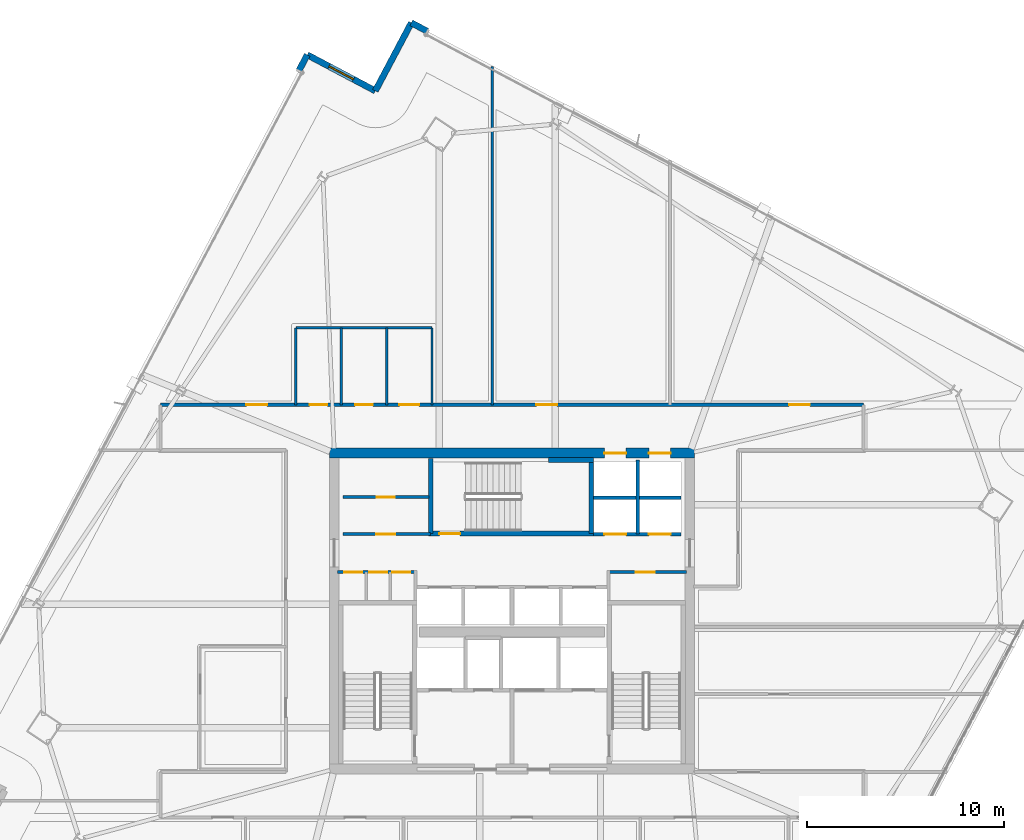
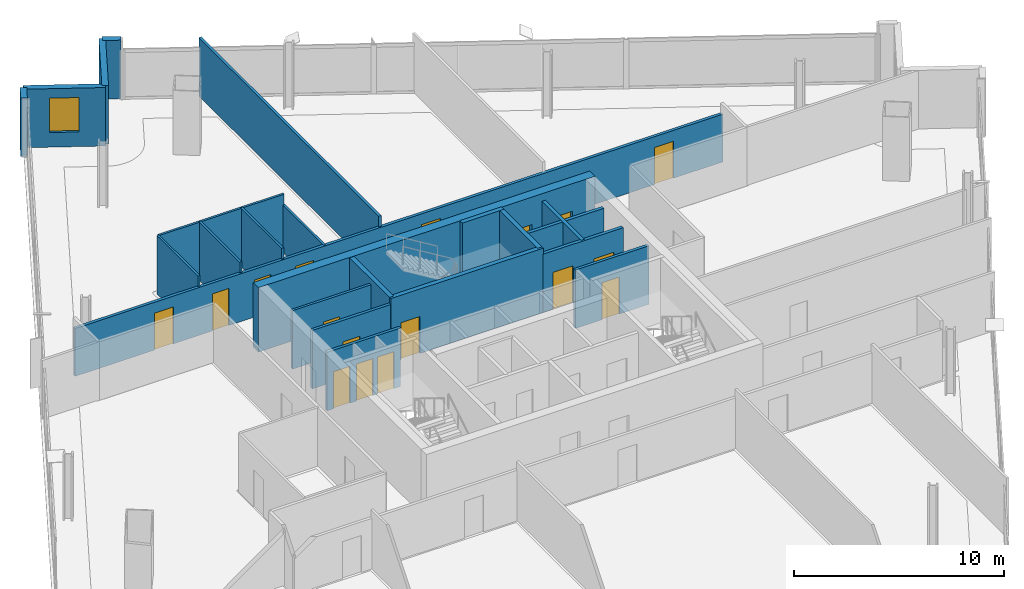
# One storey, part 22 of 28: 23 walls, 17 doors, 1 window, 18 openings.
"""IFC4 building model written with IfcOpenShell, lengths in metres."""

from ifc_helpers import new_model, si_unit, direction, frame, frame_2d, origin, place, context, subcontext, project, spatial, rectangle, extrude, material, layer, layer_set, type_object, element, fill, save


model = new_model("IFC4")

# Units and contexts
model_context = context("Model", 3, precision=1e-05, world=origin(), true_north=direction((0.0, 1.0)))
body_context = subcontext(model_context, "Body", "Model", "MODEL_VIEW")
ifc_project = project(units=[si_unit("LENGTHUNIT", "METRE"), si_unit("AREAUNIT", "SQUARE_METRE"), si_unit("VOLUMEUNIT", "CUBIC_METRE"), si_unit("PLANEANGLEUNIT", "RADIAN"), si_unit("MASSUNIT", "GRAM", prefix="KILO")], contexts=[model_context])

# Site, building, storey
site_placement = place(None, origin())
site = spatial("IfcSite", under=ifc_project, at=site_placement, CompositionType="ELEMENT")
building_placement = place(site_placement, origin())
building = spatial("IfcBuilding", under=site, at=building_placement, Name="Haldenkirk Collegiate Tower", CompositionType="ELEMENT")
storey_placement = place(building_placement, frame((0.0, 0.0, 235.949951171875)))
storey = spatial("IfcBuildingStorey", under=building, at=storey_placement, Name="L59", CompositionType="ELEMENT", Elevation=235.949951171875)

# Wall, openings, doors
ifc_material_1 = material(Name="Concrete f'c 55 MPa", Category="concrete")
ifc_layer_1 = layer(ifc_material_1, 0.5)
ifc_layer_set_1 = layer_set([ifc_layer_1], Name="Concrete f'c 55 MPa")
wall_type_1 = type_object("IfcWallType", Name="WL-CORE-500", PredefinedType="SHEAR", material=ifc_layer_set_1)
wall_1_placement = place(storey_placement, frame((26.75, 34.0, 0.0), z_axis=(0.0, 0.0, 1.0), x_axis=(1.0, 0.0, 0.0)))
wall_1 = element("IfcWall", 1, at=wall_1_placement, inside=storey, type_object=wall_type_1, Name="L59 central core shear wall N", PredefinedType="SHEAR", context=body_context, shape_type="SweptSolid", body=[
    extrude(rectangle(XDim=18.5, YDim=0.5, at=frame_2d((9.25, 0.0))), origin(), (0.0, 0.0, 1.0), 3.75),
])
opening_1_placement = place(wall_1_placement, frame((13.93505859375, 0.0, 0.0)))
opening_1 = element("IfcOpeningElement", 2, at=opening_1_placement, cuts=wall_1, Name="Opening LD-11", PredefinedType="OPENING", context=body_context, shape_type="SweptSolid", body=[
    extrude(rectangle(XDim=1.10009765625, YDim=2.14990234375, at=frame_2d((0.550048828125, 1.074951171875))), frame((0.0, 0.260009765625, 0.0), z_axis=(0.0, -1.0, 0.0), x_axis=(1.0, 0.0, 0.0)), (0.0, 0.0, 1.0), 0.52001953125),
])
opening_2_placement = place(wall_1_placement, frame((16.18505859375, 0.0, 0.0)))
opening_2 = element("IfcOpeningElement", 3, at=opening_2_placement, cuts=wall_1, Name="Opening LD-11", PredefinedType="OPENING", context=body_context, shape_type="SweptSolid", body=[
    extrude(rectangle(XDim=1.10009765625, YDim=2.14990234375, at=frame_2d((0.550048828125, 1.074951171875))), frame((0.0, 0.260009765625, 0.0), z_axis=(0.0, -1.0, 0.0), x_axis=(1.0, 0.0, 0.0)), (0.0, 0.0, 1.0), 0.52001953125),
])
ifc_material_2 = material(Name="Brushed architectural stainless steel", Category="steel")
ifc_layer_2 = layer(ifc_material_2, 0.06005859375)
ifc_layer_set_2 = layer_set([ifc_layer_2], Name="Brushed architectural stainless steel")
door_type_1 = type_object("IfcDoorType", Name="LD-PASS-1100", OperationType="NOTDEFINED", PredefinedType="DOOR", material=ifc_layer_set_2)
door_1_placement = place(opening_1_placement, origin())
door_1 = element("IfcDoor", 4, at=door_1_placement, inside=storey, type_object=door_type_1, Name="L59 Elevator PM3 sliding landing door", OperationType="SLIDING_TO_LEFT", OverallHeight=2.14990234375, OverallWidth=1.10009765625, PredefinedType="DOOR", context=body_context, shape_type="SweptSolid", body=[
    extrude(rectangle(XDim=1.10009765625, YDim=2.14990234375, at=frame_2d((0.550048828125, 1.074951171875))), frame((0.0, 0.02490234375, 0.0), z_axis=(0.0, -1.0, 0.0), x_axis=(1.0, 0.0, 0.0)), (0.0, 0.0, 1.0), 0.050048828125),
])
fill(opening_1, door_1)
door_2_placement = place(opening_2_placement, origin())
door_2 = element("IfcDoor", 5, at=door_2_placement, inside=storey, type_object=door_type_1, Name="L59 Elevator PM4 sliding landing door", OperationType="SLIDING_TO_LEFT", OverallHeight=2.14990234375, OverallWidth=1.10009765625, PredefinedType="DOOR", context=body_context, shape_type="SweptSolid", body=[
    extrude(rectangle(XDim=1.10009765625, YDim=2.14990234375, at=frame_2d((0.550048828125, 1.074951171875))), frame((0.0, 0.02490234375, 0.0), z_axis=(0.0, -1.0, 0.0), x_axis=(1.0, 0.0, 0.0)), (0.0, 0.0, 1.0), 0.050048828125),
])
fill(opening_2, door_2)

# Walls
ifc_material_3 = material(Name="Precast concrete f'c 40 MPa", Category="concrete")
ifc_layer_3 = layer(ifc_material_3, 0.320068359375)
ifc_layer_set_3 = layer_set([ifc_layer_3], Name="Precast concrete f'c 40 MPa")
wall_type_2 = type_object("IfcWallType", Name="WL-EXT-TWR-320", PredefinedType="STANDARD", material=ifc_layer_set_3)
wall_2_placement = place(storey_placement, frame((30.9013671875, 55.799560546875, 0.0), z_axis=(0.0, 0.0, 1.0), x_axis=(0.883768120839, -0.467925110021, 0.0)))
element("IfcWall", 6, at=wall_2_placement, inside=storey, type_object=wall_type_2, Name="L59 precast corner pier EL", PredefinedType="STANDARD", context=body_context, shape_type="SweptSolid", body=[
    extrude(rectangle(XDim=0.89990234375, YDim=0.320068359375, at=frame_2d((0.449951171875, 0.0))), origin(), (0.0, 0.0, 1.0), 3.400146484375),
])
wall_3_placement = place(storey_placement, frame((29.076416015625, 52.352783203125, 0.0), z_axis=(0.0, 0.0, 1.0), x_axis=(0.467925110021, 0.883768120839, 0.0)))
element("IfcWall", 7, at=wall_3_placement, inside=storey, type_object=wall_type_2, Name="L59 bronze precast notch wall 05", PredefinedType="STANDARD", context=body_context, shape_type="SweptSolid", body=[
    extrude(rectangle(XDim=3.900146484375, YDim=0.320068359375, at=frame_2d((1.9501953125, 0.0))), origin(), (0.0, 0.0, 1.0), 3.400146484375),
])

# Wall, opening, window
wall_4_placement = place(storey_placement, frame((25.6298828125, 54.177734375, 0.0), z_axis=(0.0, 0.0, 1.0), x_axis=(0.883754413477, -0.46795099814, 0.0)))
wall_4 = element("IfcWall", 8, at=wall_4_placement, inside=storey, type_object=wall_type_2, Name="L59 bronze precast notch wall 06", PredefinedType="STANDARD", context=body_context, shape_type="SweptSolid", body=[
    extrude(rectangle(XDim=3.89990234375, YDim=0.320068359375, at=frame_2d((1.949951171875, 0.0))), origin(), (0.0, 0.0, 1.0), 3.400146484375),
])
opening_3_placement = place(wall_4_placement, frame((1.25, 0.0, 0.85009765625)))
opening_3 = element("IfcOpeningElement", 9, at=opening_3_placement, cuts=wall_4, Name="Opening W-06", PredefinedType="OPENING", context=body_context, shape_type="SweptSolid", body=[
    extrude(rectangle(XDim=1.39990234375, YDim=2.0, at=frame_2d((0.699951171875, 1.0))), frame((0.0, 0.169921875, 0.0), z_axis=(0.0, -1.0, 0.0), x_axis=(1.0, 0.0, 0.0)), (0.0, 0.0, 1.0), 0.340087890625),
])
ifc_material_4 = material(Name="Low-E argon triple insulating glass", Category="glass")
ifc_layer_4 = layer(ifc_material_4, 0.090087890625)
ifc_layer_set_4 = layer_set([ifc_layer_4], Name="Low-E argon triple insulating glass")
window_type = type_object("IfcWindowType", Name="WN-Z4-1400X2000", PartitioningType="SINGLE_PANEL", PredefinedType="WINDOW", material=ifc_layer_set_4)
window_placement = place(opening_3_placement, origin())
window = element("IfcWindow", 10, at=window_placement, inside=storey, type_object=window_type, Name="L59 precast-frame academic window 5", OverallHeight=2.0, OverallWidth=1.39990234375, PartitioningType="SINGLE_PANEL", PredefinedType="WINDOW", context=body_context, shape_type="SweptSolid", body=[
    extrude(rectangle(XDim=1.39990234375, YDim=2.0, at=frame_2d((0.699951171875, 1.0))), frame((0.0, 0.030029296875, 0.0), z_axis=(0.0, -1.0, 0.0), x_axis=(1.0, 0.0, 0.0)), (0.0, 0.0, 1.0), 0.06005859375),
])
fill(opening_3, window)

# Wall
wall_5_placement = place(storey_placement, frame((25.208740234375, 53.38232421875, 0.0), z_axis=(0.0, 0.0, 1.0), x_axis=(0.467925110021, 0.883768120839, 0.0)))
element("IfcWall", 11, at=wall_5_placement, inside=storey, type_object=wall_type_2, Name="L59 precast corner pier NR", PredefinedType="STANDARD", context=body_context, shape_type="SweptSolid", body=[
    extrude(rectangle(XDim=0.89990234375, YDim=0.320068359375, at=frame_2d((0.449951171875, 0.0))), origin(), (0.0, 0.0, 1.0), 3.400146484375),
])

# Wall, openings, doors
ifc_material_5 = material(Name="Acoustic fire-rated gypsum partition", Category="concrete")
ifc_layer_5 = layer(ifc_material_5, 0.159912109375)
ifc_layer_set_5 = layer_set([ifc_layer_5], Name="Acoustic fire-rated gypsum partition")
wall_type_3 = type_object("IfcWallType", Name="WL-INT-CORR-160", PredefinedType="PARTITIONING", material=ifc_layer_set_5)
wall_6_placement = place(storey_placement, frame((27.14990234375, 27.97998046875, 0.0), z_axis=(0.0, 0.0, 1.0), x_axis=(1.0, 0.0, 0.0)))
wall_6 = element("IfcWall", 12, at=wall_6_placement, inside=storey, type_object=wall_type_3, Name="L59 interior partition IW-L59-VCSW-N", PredefinedType="PARTITIONING", context=body_context, shape_type="SweptSolid", body=[
    extrude(rectangle(XDim=4.050048828125, YDim=0.159912109375, at=frame_2d((2.02490234375, 0.0))), origin(), (0.0, 0.0, 1.0), 3.400146484375),
])
opening_4_placement = place(wall_6_placement, frame((0.360107421875, 0.0, 0.0)))
opening_4 = element("IfcOpeningElement", 13, at=opening_4_placement, cuts=wall_6, Name="Opening D-11", PredefinedType="OPENING", context=body_context, shape_type="SweptSolid", body=[
    extrude(rectangle(XDim=0.89990234375, YDim=2.14990234375, at=frame_2d((0.449951171875, 1.074951171875))), frame((0.0, 0.08984375, 0.0), z_axis=(0.0, -1.0, 0.0), x_axis=(1.0, 0.0, 0.0)), (0.0, 0.0, 1.0), 0.179931640625),
])
opening_5_placement = place(wall_6_placement, frame((1.6298828125, 0.0, 0.0)))
opening_5 = element("IfcOpeningElement", 14, at=opening_5_placement, cuts=wall_6, Name="Opening D-11", PredefinedType="OPENING", context=body_context, shape_type="SweptSolid", body=[
    extrude(rectangle(XDim=0.89990234375, YDim=2.14990234375, at=frame_2d((0.449951171875, 1.074951171875))), frame((0.0, 0.08984375, 0.0), z_axis=(0.0, -1.0, 0.0), x_axis=(1.0, 0.0, 0.0)), (0.0, 0.0, 1.0), 0.179931640625),
])
opening_6_placement = place(wall_6_placement, frame((2.78759765625, 0.0, 0.0)))
opening_6 = element("IfcOpeningElement", 15, at=opening_6_placement, cuts=wall_6, Name="Opening D-11", PredefinedType="OPENING", context=body_context, shape_type="SweptSolid", body=[
    extrude(rectangle(XDim=0.89990234375, YDim=2.14990234375, at=frame_2d((0.449951171875, 1.074951171875))), frame((0.0, 0.08984375, 0.0), z_axis=(0.0, -1.0, 0.0), x_axis=(1.0, 0.0, 0.0)), (0.0, 0.0, 1.0), 0.179931640625),
])
ifc_material_6 = material(Name="Solid-core architectural oak fire door", Category="wood")
ifc_layer_6 = layer(ifc_material_6, 0.06005859375)
ifc_layer_set_6 = layer_set([ifc_layer_6], Name="Solid-core architectural oak fire door")
door_type_2 = type_object("IfcDoorType", Name="DR-INT-FD60-900", OperationType="NOTDEFINED", PredefinedType="DOOR", material=ifc_layer_set_6)
door_3_placement = place(opening_4_placement, origin())
door_3 = element("IfcDoor", 16, at=door_3_placement, inside=storey, type_object=door_type_2, Name="L59 core study booth door", OperationType="SINGLE_SWING_RIGHT", OverallHeight=2.14990234375, OverallWidth=0.89990234375, PredefinedType="DOOR", context=body_context, shape_type="SweptSolid", body=[
    extrude(rectangle(XDim=0.89990234375, YDim=2.14990234375, at=frame_2d((0.449951171875, 1.074951171875))), frame((0.0, 0.02490234375, 0.0), z_axis=(0.0, -1.0, 0.0), x_axis=(1.0, 0.0, 0.0)), (0.0, 0.0, 1.0), 0.050048828125),
])
fill(opening_4, door_3)
door_4_placement = place(opening_5_placement, origin())
door_4 = element("IfcDoor", 17, at=door_4_placement, inside=storey, type_object=door_type_2, Name="L59 core cleaners door", OperationType="SINGLE_SWING_LEFT", OverallHeight=2.14990234375, OverallWidth=0.89990234375, PredefinedType="DOOR", context=body_context, shape_type="SweptSolid", body=[
    extrude(rectangle(XDim=0.89990234375, YDim=2.14990234375, at=frame_2d((0.449951171875, 1.074951171875))), frame((0.0, 0.02490234375, 0.0), z_axis=(0.0, -1.0, 0.0), x_axis=(1.0, 0.0, 0.0)), (0.0, 0.0, 1.0), 0.050048828125),
])
fill(opening_5, door_4)
door_5_placement = place(opening_6_placement, origin())
door_5 = element("IfcDoor", 18, at=door_5_placement, inside=storey, type_object=door_type_2, Name="L59 core stationery door", OperationType="SINGLE_SWING_RIGHT", OverallHeight=2.14990234375, OverallWidth=0.89990234375, PredefinedType="DOOR", context=body_context, shape_type="SweptSolid", body=[
    extrude(rectangle(XDim=0.89990234375, YDim=2.14990234375, at=frame_2d((0.449951171875, 1.074951171875))), frame((0.0, 0.02490234375, 0.0), z_axis=(0.0, -1.0, 0.0), x_axis=(1.0, 0.0, 0.0)), (0.0, 0.0, 1.0), 0.050048828125),
])
fill(opening_6, door_5)

# Wall, opening, door
wall_7_placement = place(storey_placement, frame((40.800048828125, 27.97998046875, 0.0), z_axis=(0.0, 0.0, 1.0), x_axis=(1.0, 0.0, 0.0)))
wall_7 = element("IfcWall", 19, at=wall_7_placement, inside=storey, type_object=wall_type_3, Name="L59 interior partition IW-L59-VCSE-N", PredefinedType="PARTITIONING", context=body_context, shape_type="SweptSolid", body=[
    extrude(rectangle(XDim=4.050048828125, YDim=0.159912109375, at=frame_2d((2.02490234375, 0.0))), origin(), (0.0, 0.0, 1.0), 3.400146484375),
])
opening_7_placement = place(wall_7_placement, frame((1.47509765625, 0.0, 0.0)))
opening_7 = element("IfcOpeningElement", 20, at=opening_7_placement, cuts=wall_7, Name="Opening D-10", PredefinedType="OPENING", context=body_context, shape_type="SweptSolid", body=[
    extrude(rectangle(XDim=0.949951171875, YDim=2.14990234375, at=frame_2d((0.47509765625, 1.074951171875))), frame((0.0, 0.08984375, 0.0), z_axis=(0.0, -1.0, 0.0), x_axis=(1.0, 0.0, 0.0)), (0.0, 0.0, 1.0), 0.179931640625),
])
ifc_layer_7 = layer(ifc_material_6, 0.06005859375)
ifc_layer_set_7 = layer_set([ifc_layer_7], Name="Solid-core architectural oak fire door")
door_type_3 = type_object("IfcDoorType", Name="DR-INT-FD60-950", OperationType="NOTDEFINED", PredefinedType="DOOR", material=ifc_layer_set_7)
door_6_placement = place(opening_7_placement, origin())
door_6 = element("IfcDoor", 21, at=door_6_placement, inside=storey, type_object=door_type_3, Name="L59 core archive vault door", OperationType="SINGLE_SWING_LEFT", OverallHeight=2.14990234375, OverallWidth=0.949951171875, PredefinedType="DOOR", context=body_context, shape_type="SweptSolid", body=[
    extrude(rectangle(XDim=0.949951171875, YDim=2.14990234375, at=frame_2d((0.47509765625, 1.074951171875))), frame((0.0, 0.02490234375, 0.0), z_axis=(0.0, -1.0, 0.0), x_axis=(1.0, 0.0, 0.0)), (0.0, 0.0, 1.0), 0.050048828125),
])
fill(opening_7, door_6)

wall_8_placement = place(storey_placement, frame((27.449951171875, 29.89990234375, 0.0), z_axis=(0.0, 0.0, 1.0), x_axis=(1.0, 0.0, 0.0)))
wall_8 = element("IfcWall", 22, at=wall_8_placement, inside=storey, type_object=wall_type_3, Name="L59 interior partition IW-L59-PLS", PredefinedType="PARTITIONING", context=body_context, shape_type="SweptSolid", body=[
    extrude(rectangle(XDim=4.429931640625, YDim=0.159912109375, at=frame_2d((2.21484375, 0.0))), origin(), (0.0, 0.0, 1.0), 3.400146484375),
])
opening_8_placement = place(wall_8_placement, frame((1.675048828125, 0.0, 0.0)))
opening_8 = element("IfcOpeningElement", 23, at=opening_8_placement, cuts=wall_8, Name="Opening D-10", PredefinedType="OPENING", context=body_context, shape_type="SweptSolid", body=[
    extrude(rectangle(XDim=0.949951171875, YDim=2.14990234375, at=frame_2d((0.47509765625, 1.074951171875))), frame((0.0, 0.08984375, 0.0), z_axis=(0.0, -1.0, 0.0), x_axis=(1.0, 0.0, 0.0)), (0.0, 0.0, 1.0), 0.179931640625),
])
door_7_placement = place(opening_8_placement, origin())
door_7 = element("IfcDoor", 24, at=door_7_placement, inside=storey, type_object=door_type_3, Name="L59 consultation door", OperationType="SINGLE_SWING_RIGHT", OverallHeight=2.14990234375, OverallWidth=0.949951171875, PredefinedType="DOOR", context=body_context, shape_type="SweptSolid", body=[
    extrude(rectangle(XDim=0.949951171875, YDim=2.14990234375, at=frame_2d((0.47509765625, 1.074951171875))), frame((0.0, 0.02490234375, 0.0), z_axis=(0.0, -1.0, 0.0), x_axis=(1.0, 0.0, 0.0)), (0.0, 0.0, 1.0), 0.050048828125),
])
fill(opening_8, door_7)

# Wall, openings, doors
wall_9_placement = place(storey_placement, frame((18.199951171875, 36.449951171875, 0.0), z_axis=(0.0, 0.0, 1.0), x_axis=(1.0, 0.0, 0.0)))
wall_9 = element("IfcWall", 25, at=wall_9_placement, inside=storey, type_object=wall_type_3, Name="L59 interior partition IW-L59-CN", PredefinedType="PARTITIONING", context=body_context, shape_type="SweptSolid", body=[
    extrude(rectangle(XDim=35.60009765625, YDim=0.159912109375, at=frame_2d((17.800048828125, 0.0))), origin(), (0.0, 0.0, 1.0), 2.779052734375),
])
opening_9_placement = place(wall_9_placement, frame((7.550048828125, 0.0, 0.0)))
opening_9 = element("IfcOpeningElement", 26, at=opening_9_placement, cuts=wall_9, Name="Opening D-13", PredefinedType="OPENING", context=body_context, shape_type="SweptSolid", body=[
    extrude(rectangle(XDim=0.89990234375, YDim=2.14990234375, at=frame_2d((0.449951171875, 1.074951171875))), frame((0.0, 0.08984375, 0.0), z_axis=(0.0, -1.0, 0.0), x_axis=(1.0, 0.0, 0.0)), (0.0, 0.0, 1.0), 0.179931640625),
])
opening_10_placement = place(wall_9_placement, frame((9.85009765625, 0.0, 0.0)))
opening_10 = element("IfcOpeningElement", 27, at=opening_10_placement, cuts=wall_9, Name="Opening D-13", PredefinedType="OPENING", context=body_context, shape_type="SweptSolid", body=[
    extrude(rectangle(XDim=0.89990234375, YDim=2.14990234375, at=frame_2d((0.449951171875, 1.074951171875))), frame((0.0, 0.08984375, 0.0), z_axis=(0.0, -1.0, 0.0), x_axis=(1.0, 0.0, 0.0)), (0.0, 0.0, 1.0), 0.179931640625),
])
opening_11_placement = place(wall_9_placement, frame((12.10009765625, 0.0, 0.0)))
opening_11 = element("IfcOpeningElement", 28, at=opening_11_placement, cuts=wall_9, Name="Opening D-14", PredefinedType="OPENING", context=body_context, shape_type="SweptSolid", body=[
    extrude(rectangle(XDim=1.0, YDim=2.14990234375, at=frame_2d((0.5, 1.074951171875))), frame((0.0, 0.08984375, 0.0), z_axis=(0.0, -1.0, 0.0), x_axis=(1.0, 0.0, 0.0)), (0.0, 0.0, 1.0), 0.179931640625),
])
opening_12_placement = place(wall_9_placement, frame((4.344970703125, 0.0, 0.0)))
opening_12 = element("IfcOpeningElement", 29, at=opening_12_placement, cuts=wall_9, Name="Opening D-09", PredefinedType="OPENING", context=body_context, shape_type="SweptSolid", body=[
    extrude(rectangle(XDim=1.050048828125, YDim=2.14990234375, at=frame_2d((0.52490234375, 1.074951171875))), frame((0.0, 0.08984375, 0.0), z_axis=(0.0, -1.0, 0.0), x_axis=(1.0, 0.0, 0.0)), (0.0, 0.0, 1.0), 0.179931640625),
])
opening_13_placement = place(wall_9_placement, frame((19.034912109375, 0.0, 0.0)))
opening_13 = element("IfcOpeningElement", 30, at=opening_13_placement, cuts=wall_9, Name="Opening D-09", PredefinedType="OPENING", context=body_context, shape_type="SweptSolid", body=[
    extrude(rectangle(XDim=1.050048828125, YDim=2.14990234375, at=frame_2d((0.52490234375, 1.074951171875))), frame((0.0, 0.08984375, 0.0), z_axis=(0.0, -1.0, 0.0), x_axis=(1.0, 0.0, 0.0)), (0.0, 0.0, 1.0), 0.179931640625),
])
opening_14_placement = place(wall_9_placement, frame((31.8330078125, 0.0, 0.0)))
opening_14 = element("IfcOpeningElement", 31, at=opening_14_placement, cuts=wall_9, Name="Opening D-09", PredefinedType="OPENING", context=body_context, shape_type="SweptSolid", body=[
    extrude(rectangle(XDim=1.050048828125, YDim=2.14990234375, at=frame_2d((0.52490234375, 1.074951171875))), frame((0.0, 0.08984375, 0.0), z_axis=(0.0, -1.0, 0.0), x_axis=(1.0, 0.0, 0.0)), (0.0, 0.0, 1.0), 0.179931640625),
])
ifc_layer_8 = layer(ifc_material_6, 0.06005859375)
ifc_layer_set_8 = layer_set([ifc_layer_8], Name="Solid-core architectural oak fire door")
door_type_4 = type_object("IfcDoorType", Name="DR-INT-ACC-1000", OperationType="NOTDEFINED", PredefinedType="DOOR", material=ifc_layer_set_8)
door_8_placement = place(opening_11_placement, origin())
door_8 = element("IfcDoor", 32, at=door_8_placement, inside=storey, type_object=door_type_4, Name="L59 Accessible WC door", OperationType="SINGLE_SWING_RIGHT", OverallHeight=2.14990234375, OverallWidth=1.0, PredefinedType="DOOR", context=body_context, shape_type="SweptSolid", body=[
    extrude(rectangle(XDim=1.0, YDim=2.14990234375, at=frame_2d((0.5, 1.074951171875))), frame((0.0, 0.02490234375, 0.0), z_axis=(0.0, -1.0, 0.0), x_axis=(1.0, 0.0, 0.0)), (0.0, 0.0, 1.0), 0.050048828125),
])
fill(opening_11, door_8)
ifc_layer_9 = layer(ifc_material_6, 0.06005859375)
ifc_layer_set_9 = layer_set([ifc_layer_9], Name="Solid-core architectural oak fire door")
door_type_5 = type_object("IfcDoorType", Name="DR-INT-FD60-1050", OperationType="NOTDEFINED", PredefinedType="DOOR", material=ifc_layer_set_9)
door_9_placement = place(opening_12_placement, origin())
door_9 = element("IfcDoor", 33, at=door_9_placement, inside=storey, type_object=door_type_5, Name="L59 Rare Folio Vault 6 door", OperationType="SINGLE_SWING_RIGHT", OverallHeight=2.14990234375, OverallWidth=1.050048828125, PredefinedType="DOOR", context=body_context, shape_type="SweptSolid", body=[
    extrude(rectangle(XDim=1.050048828125, YDim=2.14990234375, at=frame_2d((0.52490234375, 1.074951171875))), frame((0.0, 0.02490234375, 0.0), z_axis=(0.0, -1.0, 0.0), x_axis=(1.0, 0.0, 0.0)), (0.0, 0.0, 1.0), 0.050048828125),
])
fill(opening_12, door_9)
door_10_placement = place(opening_13_placement, origin())
door_10 = element("IfcDoor", 34, at=door_10_placement, inside=storey, type_object=door_type_5, Name="L59 Student Wellness Clinic 7 door", OperationType="SINGLE_SWING_LEFT", OverallHeight=2.14990234375, OverallWidth=1.050048828125, PredefinedType="DOOR", context=body_context, shape_type="SweptSolid", body=[
    extrude(rectangle(XDim=1.050048828125, YDim=2.14990234375, at=frame_2d((0.52490234375, 1.074951171875))), frame((0.0, 0.02490234375, 0.0), z_axis=(0.0, -1.0, 0.0), x_axis=(1.0, 0.0, 0.0)), (0.0, 0.0, 1.0), 0.050048828125),
])
fill(opening_13, door_10)
door_11_placement = place(opening_14_placement, origin())
door_11 = element("IfcDoor", 35, at=door_11_placement, inside=storey, type_object=door_type_5, Name="L59 Ergonomics Clinic 8 door", OperationType="SINGLE_SWING_RIGHT", OverallHeight=2.14990234375, OverallWidth=1.050048828125, PredefinedType="DOOR", context=body_context, shape_type="SweptSolid", body=[
    extrude(rectangle(XDim=1.050048828125, YDim=2.14990234375, at=frame_2d((0.52490234375, 1.074951171875))), frame((0.0, 0.02490234375, 0.0), z_axis=(0.0, -1.0, 0.0), x_axis=(1.0, 0.0, 0.0)), (0.0, 0.0, 1.0), 0.050048828125),
])
fill(opening_14, door_11)
ifc_layer_10 = layer(ifc_material_6, 0.06005859375)
ifc_layer_set_10 = layer_set([ifc_layer_10], Name="Solid-core architectural oak fire door")
door_type_6 = type_object("IfcDoorType", Name="DR-INT-STD-900", OperationType="NOTDEFINED", PredefinedType="DOOR", material=ifc_layer_set_10)
door_12_placement = place(opening_9_placement, origin())
door_12 = element("IfcDoor", 36, at=door_12_placement, inside=storey, type_object=door_type_6, Name="L59 Male WC door", OperationType="SINGLE_SWING_RIGHT", OverallHeight=2.14990234375, OverallWidth=0.89990234375, PredefinedType="DOOR", context=body_context, shape_type="SweptSolid", body=[
    extrude(rectangle(XDim=0.89990234375, YDim=2.14990234375, at=frame_2d((0.449951171875, 1.074951171875))), frame((0.0, 0.02490234375, 0.0), z_axis=(0.0, -1.0, 0.0), x_axis=(1.0, 0.0, 0.0)), (0.0, 0.0, 1.0), 0.050048828125),
])
fill(opening_9, door_12)
door_13_placement = place(opening_10_placement, origin())
door_13 = element("IfcDoor", 37, at=door_13_placement, inside=storey, type_object=door_type_6, Name="L59 Female WC door", OperationType="SINGLE_SWING_LEFT", OverallHeight=2.14990234375, OverallWidth=0.89990234375, PredefinedType="DOOR", context=body_context, shape_type="SweptSolid", body=[
    extrude(rectangle(XDim=0.89990234375, YDim=2.14990234375, at=frame_2d((0.449951171875, 1.074951171875))), frame((0.0, 0.02490234375, 0.0), z_axis=(0.0, -1.0, 0.0), x_axis=(1.0, 0.0, 0.0)), (0.0, 0.0, 1.0), 0.050048828125),
])
fill(opening_10, door_13)

# Wall, opening, door
ifc_layer_11 = layer(ifc_material_5, 0.139892578125)
ifc_layer_set_11 = layer_set([ifc_layer_11], Name="Acoustic fire-rated gypsum partition")
wall_type_4 = type_object("IfcWallType", Name="WL-INT-DIV-140", PredefinedType="PARTITIONING", material=ifc_layer_set_11)
wall_10_placement = place(storey_placement, frame((27.449951171875, 31.780029296875, 0.0), z_axis=(0.0, 0.0, 1.0), x_axis=(1.0, 0.0, 0.0)))
wall_10 = element("IfcWall", 38, at=wall_10_placement, inside=storey, type_object=wall_type_4, Name="L59 interior partition IW-L59-PLDIVH", PredefinedType="PARTITIONING", context=body_context, shape_type="SweptSolid", body=[
    extrude(rectangle(XDim=4.35009765625, YDim=0.139892578125, at=frame_2d((2.175048828125, 0.0))), origin(), (0.0, 0.0, 1.0), 3.400146484375),
])
opening_15_placement = place(wall_10_placement, frame((1.699951171875, 0.0, 0.0)))
opening_15 = element("IfcOpeningElement", 39, at=opening_15_placement, cuts=wall_10, Name="Opening D-13", PredefinedType="OPENING", context=body_context, shape_type="SweptSolid", body=[
    extrude(rectangle(XDim=0.89990234375, YDim=2.14990234375, at=frame_2d((0.449951171875, 1.074951171875))), frame((0.0, 0.079833984375, 0.0), z_axis=(0.0, -1.0, 0.0), x_axis=(1.0, 0.0, 0.0)), (0.0, 0.0, 1.0), 0.159912109375),
])
door_14_placement = place(opening_15_placement, origin())
door_14 = element("IfcDoor", 40, at=door_14_placement, inside=storey, type_object=door_type_6, Name="L59 folio vault door", OperationType="SINGLE_SWING_LEFT", OverallHeight=2.14990234375, OverallWidth=0.89990234375, PredefinedType="DOOR", context=body_context, shape_type="SweptSolid", body=[
    extrude(rectangle(XDim=0.89990234375, YDim=2.14990234375, at=frame_2d((0.449951171875, 1.074951171875))), frame((0.0, 0.02490234375, 0.0), z_axis=(0.0, -1.0, 0.0), x_axis=(1.0, 0.0, 0.0)), (0.0, 0.0, 1.0), 0.050048828125),
])
fill(opening_15, door_14)

# Wall
wall_11_placement = place(storey_placement, frame((35.0, 36.449951171875, 0.0), z_axis=(0.0, 0.0, 1.0), x_axis=(0.0, 1.0, 0.0)))
element("IfcWall", 41, at=wall_11_placement, inside=storey, type_object=wall_type_4, Name="L59 interior partition IW-L59-RN1", PredefinedType="PARTITIONING", context=body_context, shape_type="SweptSolid", body=[
    extrude(rectangle(XDim=17.13427734375, YDim=0.139892578125, at=frame_2d((8.567138671875, 0.0))), origin(), (0.0, 0.0, 1.0), 3.400146484375),
])

# Wall, openings, doors
ifc_material_7 = material(Name="Fire-rated gypsum shaftboard assembly", Category="concrete")
ifc_layer_12 = layer(ifc_material_7, 0.179931640625)
ifc_layer_set_12 = layer_set([ifc_layer_12], Name="Fire-rated gypsum shaftboard assembly")
wall_type_5 = type_object("IfcWallType", Name="WL-INT-SHAFT-180", PredefinedType="PARTITIONING", material=ifc_layer_set_12)
wall_12_placement = place(storey_placement, frame((40.1201171875, 29.89990234375, 0.0), z_axis=(0.0, 0.0, 1.0), x_axis=(1.0, 0.0, 0.0)))
wall_12 = element("IfcWall", 42, at=wall_12_placement, inside=storey, type_object=wall_type_5, Name="L59 interior partition IW-L59-PMS", PredefinedType="PARTITIONING", context=body_context, shape_type="SweptSolid", body=[
    extrude(rectangle(XDim=4.429931640625, YDim=0.179931640625, at=frame_2d((2.21484375, 0.0))), origin(), (0.0, 0.0, 1.0), 3.400146484375),
])
opening_16_placement = place(wall_12_placement, frame((0.56494140625, 0.0, 0.0)))
opening_16 = element("IfcOpeningElement", 43, at=opening_16_placement, cuts=wall_12, Name="Opening LD-11", PredefinedType="OPENING", context=body_context, shape_type="SweptSolid", body=[
    extrude(rectangle(XDim=1.10009765625, YDim=2.14990234375, at=frame_2d((0.550048828125, 1.074951171875))), frame((0.0, 0.099853515625, 0.0), z_axis=(0.0, -1.0, 0.0), x_axis=(1.0, 0.0, 0.0)), (0.0, 0.0, 1.0), 0.199951171875),
])
opening_17_placement = place(wall_12_placement, frame((2.81494140625, 0.0, 0.0)))
opening_17 = element("IfcOpeningElement", 44, at=opening_17_placement, cuts=wall_12, Name="Opening LD-11", PredefinedType="OPENING", context=body_context, shape_type="SweptSolid", body=[
    extrude(rectangle(XDim=1.10009765625, YDim=2.14990234375, at=frame_2d((0.550048828125, 1.074951171875))), frame((0.0, 0.099853515625, 0.0), z_axis=(0.0, -1.0, 0.0), x_axis=(1.0, 0.0, 0.0)), (0.0, 0.0, 1.0), 0.199951171875),
])
door_15_placement = place(opening_16_placement, origin())
door_15 = element("IfcDoor", 45, at=door_15_placement, inside=storey, type_object=door_type_1, Name="L59 Elevator PM1 sliding landing door", OperationType="SLIDING_TO_LEFT", OverallHeight=2.14990234375, OverallWidth=1.10009765625, PredefinedType="DOOR", context=body_context, shape_type="SweptSolid", body=[
    extrude(rectangle(XDim=1.10009765625, YDim=2.14990234375, at=frame_2d((0.550048828125, 1.074951171875))), frame((0.0, 0.02490234375, 0.0), z_axis=(0.0, -1.0, 0.0), x_axis=(1.0, 0.0, 0.0)), (0.0, 0.0, 1.0), 0.050048828125),
])
fill(opening_16, door_15)
door_16_placement = place(opening_17_placement, origin())
door_16 = element("IfcDoor", 46, at=door_16_placement, inside=storey, type_object=door_type_1, Name="L59 Elevator PM2 sliding landing door", OperationType="SLIDING_TO_LEFT", OverallHeight=2.14990234375, OverallWidth=1.10009765625, PredefinedType="DOOR", context=body_context, shape_type="SweptSolid", body=[
    extrude(rectangle(XDim=1.10009765625, YDim=2.14990234375, at=frame_2d((0.550048828125, 1.074951171875))), frame((0.0, 0.02490234375, 0.0), z_axis=(0.0, -1.0, 0.0), x_axis=(1.0, 0.0, 0.0)), (0.0, 0.0, 1.0), 0.050048828125),
])
fill(opening_17, door_16)

# Walls
wall_13_placement = place(storey_placement, frame((40.1201171875, 31.75, 0.0), z_axis=(0.0, 0.0, 1.0), x_axis=(1.0, 0.0, 0.0)))
element("IfcWall", 47, at=wall_13_placement, inside=storey, type_object=wall_type_5, Name="L59 interior partition IW-L59-PMM", PredefinedType="PARTITIONING", context=body_context, shape_type="SweptSolid", body=[
    extrude(rectangle(XDim=4.429931640625, YDim=0.179931640625, at=frame_2d((2.21484375, 0.0))), origin(), (0.0, 0.0, 1.0), 3.400146484375),
])
wall_14_placement = place(storey_placement, frame((42.3701171875, 29.89990234375, 0.0), z_axis=(0.0, 0.0, 1.0), x_axis=(0.0, 1.0, 0.0)))
element("IfcWall", 48, at=wall_14_placement, inside=storey, type_object=wall_type_5, Name="L59 interior partition IW-L59-PMV", PredefinedType="PARTITIONING", context=body_context, shape_type="SweptSolid", body=[
    extrude(rectangle(XDim=3.75, YDim=0.179931640625, at=frame_2d((1.875, 0.0))), origin(), (0.0, 0.0, 1.0), 3.400146484375),
])
ifc_layer_13 = layer(ifc_material_5, 0.1201171875)
ifc_layer_set_13 = layer_set([ifc_layer_13], Name="Acoustic fire-rated gypsum partition")
wall_type_6 = type_object("IfcWallType", Name="WL-INT-WET-120", PredefinedType="PARTITIONING", material=ifc_layer_set_13)
for number, where, z_axis, x_axis, name in (
    (49, (25.050048828125, 36.449951171875, 0.0), (0.0, 0.0, 1.0), (0.0, 1.0, 0.0), "L59 interior partition IW-L59-WCW"),
    (50, (27.35009765625, 36.449951171875, 0.0), (0.0, 0.0, 1.0), (0.0, 1.0, 0.0), "L59 interior partition IW-L59-WC1"),
    (51, (29.64990234375, 36.449951171875, 0.0), (0.0, 0.0, 1.0), (0.0, 1.0, 0.0), "L59 interior partition IW-L59-WC2"),
):
    element("IfcWall", number, at=place(storey_placement, frame(where, z_axis=z_axis, x_axis=x_axis)), inside=storey, type_object=wall_type_6, Name=name, PredefinedType="PARTITIONING", context=body_context, shape_type="SweptSolid", body=[
        extrude(rectangle(XDim=3.900146484375, YDim=0.1201171875, at=frame_2d((1.9501953125, 0.0))), origin(), (0.0, 0.0, 1.0), 3.400146484375),
    ])
wall_15_placement = place(storey_placement, frame((31.949951171875, 36.449951171875, 0.0), z_axis=(0.0, 0.0, 1.0), x_axis=(0.0, 1.0, 0.0)))
element("IfcWall", 52, at=wall_15_placement, inside=storey, type_object=wall_type_6, Name="L59 interior partition IW-L59-WCE", PredefinedType="PARTITIONING", context=body_context, shape_type="SweptSolid", body=[
    extrude(rectangle(XDim=3.900146484375, YDim=0.1201171875, at=frame_2d((1.9501953125, 0.0))), origin(), (0.0, 0.0, 1.0), 2.779052734375),
])
wall_16_placement = place(storey_placement, frame((25.050048828125, 40.35009765625, 0.0), z_axis=(0.0, 0.0, 1.0), x_axis=(1.0, 0.0, 0.0)))
element("IfcWall", 53, at=wall_16_placement, inside=storey, type_object=wall_type_6, Name="L59 interior partition IW-L59-WCB", PredefinedType="PARTITIONING", context=body_context, shape_type="SweptSolid", body=[
    extrude(rectangle(XDim=6.89990234375, YDim=0.1201171875, at=frame_2d((3.449951171875, 0.0))), origin(), (0.0, 0.0, 1.0), 3.400146484375),
])

# Wall, opening, door
ifc_layer_14 = layer(ifc_material_1, 0.239990234375)
ifc_layer_set_14 = layer_set([ifc_layer_14], Name="Concrete f'c 55 MPa")
wall_type_7 = type_object("IfcWallType", Name="WL-SHAFT-240", PredefinedType="SHEAR", material=ifc_layer_set_14)
wall_17_placement = place(storey_placement, frame((31.760009765625, 29.929931640625, 0.0), z_axis=(0.0, 0.0, 1.0), x_axis=(1.0, 0.0, 0.0)))
wall_17 = element("IfcWall", 54, at=wall_17_placement, inside=storey, type_object=wall_type_7, Name="L59 stair shaft shear wall SW-L59-ST3S", PredefinedType="SHEAR", context=body_context, shape_type="SweptSolid", body=[
    extrude(rectangle(XDim=8.3798828125, YDim=0.239990234375, at=frame_2d((4.18994140625, 0.0))), origin(), (0.0, 0.0, 1.0), 3.75),
])
opening_18_placement = place(wall_17_placement, frame((0.56494140625, 0.0, 0.0)))
opening_18 = element("IfcOpeningElement", 55, at=opening_18_placement, cuts=wall_17, Name="Opening D-01", PredefinedType="OPENING", context=body_context, shape_type="SweptSolid", body=[
    extrude(rectangle(XDim=1.050048828125, YDim=2.14990234375, at=frame_2d((0.52490234375, 1.074951171875))), frame((0.0, 0.1298828125, 0.0), z_axis=(0.0, -1.0, 0.0), x_axis=(1.0, 0.0, 0.0)), (0.0, 0.0, 1.0), 0.260009765625),
])
ifc_material_8 = material(Name="Galvanized fire-rated hollow steel door", Category="steel")
ifc_layer_15 = layer(ifc_material_8, 0.06005859375)
ifc_layer_set_15 = layer_set([ifc_layer_15], Name="Galvanized fire-rated hollow steel door")
door_type_7 = type_object("IfcDoorType", Name="DR-STAIR-FD90-1050", OperationType="NOTDEFINED", PredefinedType="DOOR", material=ifc_layer_set_15)
door_17_placement = place(opening_18_placement, origin())
door_17 = element("IfcDoor", 56, at=door_17_placement, inside=storey, type_object=door_type_7, Name="L59 lift lobby Stair 3 door", OperationType="SINGLE_SWING_RIGHT", OverallHeight=2.14990234375, OverallWidth=1.050048828125, PredefinedType="DOOR", context=body_context, shape_type="SweptSolid", body=[
    extrude(rectangle(XDim=1.050048828125, YDim=2.14990234375, at=frame_2d((0.52490234375, 1.074951171875))), frame((0.0, 0.02490234375, 0.0), z_axis=(0.0, -1.0, 0.0), x_axis=(1.0, 0.0, 0.0)), (0.0, 0.0, 1.0), 0.050048828125),
])
fill(opening_18, door_17)

# Walls
wall_18_placement = place(storey_placement, frame((31.8798828125, 29.929931640625, 0.0), z_axis=(0.0, 0.0, 1.0), x_axis=(0.0, 1.0, 0.0)))
element("IfcWall", 57, at=wall_18_placement, inside=storey, type_object=wall_type_7, Name="L59 stair shaft shear wall SW-L59-ST3W", PredefinedType="SHEAR", context=body_context, shape_type="SweptSolid", body=[
    extrude(rectangle(XDim=3.7900390625, YDim=0.239990234375, at=frame_2d((1.89501953125, 0.0))), origin(), (0.0, 0.0, 1.0), 3.75),
])
wall_19_placement = place(storey_placement, frame((40.02001953125, 29.929931640625, 0.0), z_axis=(0.0, 0.0, 1.0), x_axis=(0.0, 1.0, 0.0)))
element("IfcWall", 58, at=wall_19_placement, inside=storey, type_object=wall_type_7, Name="L59 stair shaft shear wall SW-L59-ST3E", PredefinedType="SHEAR", context=body_context, shape_type="SweptSolid", body=[
    extrude(rectangle(XDim=3.85009765625, YDim=0.239990234375, at=frame_2d((1.925048828125, 0.0))), origin(), (0.0, 0.0, 1.0), 3.75),
])
wall_20_placement = place(storey_placement, frame((37.85009765625, 33.659912109375, 0.0), z_axis=(0.0, 0.0, 1.0), x_axis=(1.0, 0.0, 0.0)))
element("IfcWall", 59, at=wall_20_placement, inside=storey, type_object=wall_type_7, Name="L59 stair shaft shear wall SW-L59-ST3N", PredefinedType="SHEAR", context=body_context, shape_type="SweptSolid", body=[
    extrude(rectangle(XDim=2.289794921875, YDim=0.239990234375, at=frame_2d((1.14501953125, 0.0))), origin(), (0.0, 0.0, 1.0), 3.75),
])

save(model, "model.ifc")
